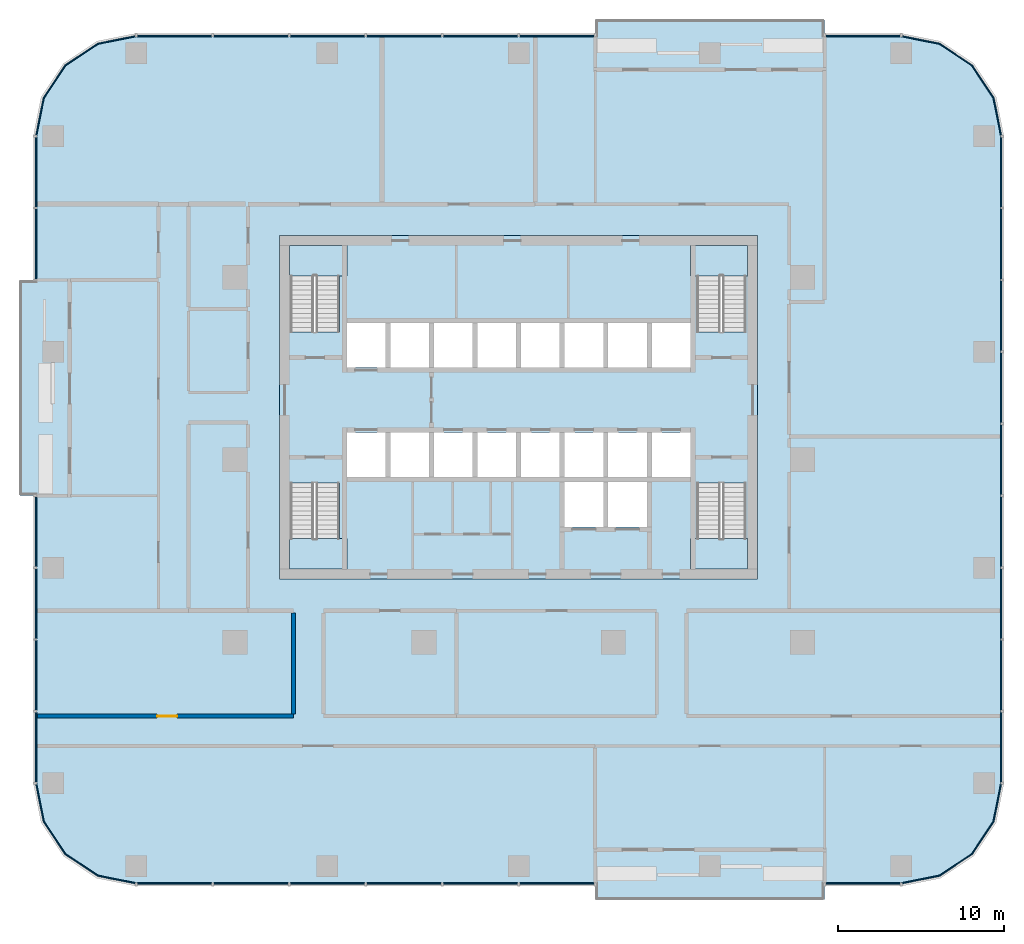
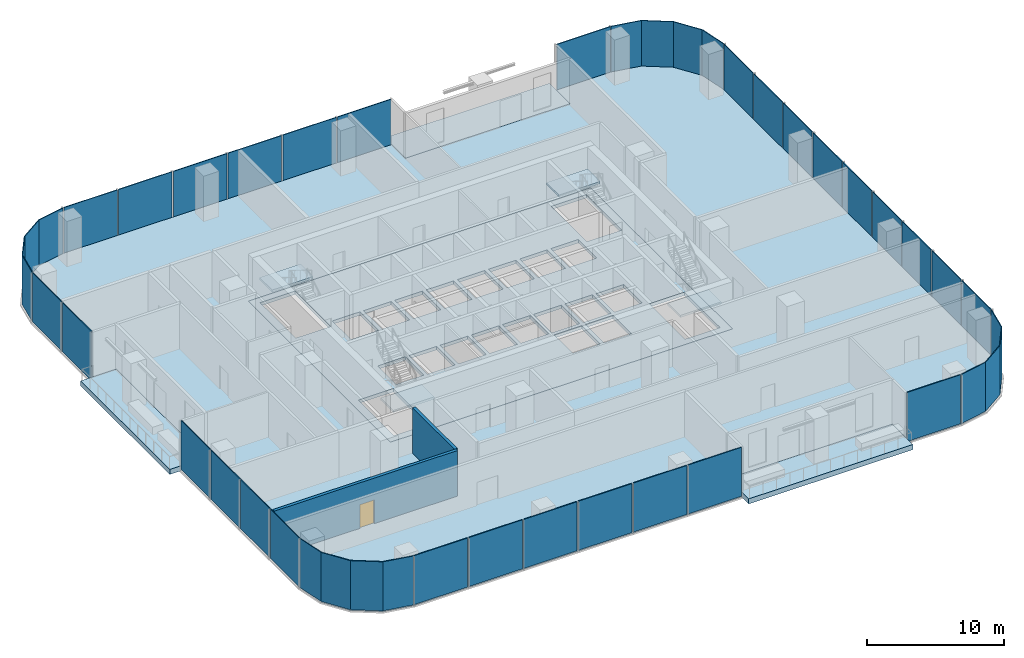
# One storey, part 6 of 15: 33 plates, 9 slabs, 2 walls, 1 door, 1 opening, 15 elements without a shape of their own.
"""IFC4 building model written with IfcOpenShell, lengths in metres."""

from ifc_helpers import new_model, si_unit, direction, frame, frame_2d, origin, origin_2d, place, context, subcontext, project, spatial, polyline, rectangle, outline, extrude, material, layer, layer_set, type_object, element, fill, aggregate, save


model = new_model("IFC4")

# Units and contexts
model_context = context("Model", 3, precision=1e-05, world=origin(), true_north=direction((0.0, 1.0)))
body_context = subcontext(model_context, "Body", "Model", "MODEL_VIEW")
ifc_project = project(units=[si_unit("LENGTHUNIT", "METRE"), si_unit("AREAUNIT", "SQUARE_METRE"), si_unit("VOLUMEUNIT", "CUBIC_METRE"), si_unit("PLANEANGLEUNIT", "RADIAN"), si_unit("MASSUNIT", "GRAM", prefix="KILO")], contexts=[model_context])

# Site, building, storey
site_placement = place(None, origin())
site = spatial("IfcSite", under=ifc_project, at=site_placement, CompositionType="ELEMENT")
building_placement = place(site_placement, origin())
building = spatial("IfcBuilding", under=site, at=building_placement, Name="Mopane Tessera Tower", CompositionType="ELEMENT")
storey_placement = place(building_placement, frame((0.0, 0.0, 103.60009765625)))
storey = spatial("IfcBuildingStorey", under=building, at=storey_placement, Name="L20", CompositionType="ELEMENT", Elevation=103.60009765625)

# Slab
ifc_material_1 = material(Name="Concrete C40/50", Category="concrete")
ifc_layer_1 = layer(ifc_material_1, 0.300048828125)
ifc_layer_set_1 = layer_set([ifc_layer_1], Name="Concrete C40/50")
slab_type_1 = type_object("IfcSlabType", Name="Core floor slab 300 mm", PredefinedType="FLOOR", material=ifc_layer_set_1)
slab_1_placement = place(storey_placement, frame((0.0, 0.0, -0.300048828125)))
element("IfcSlab", 1, at=slab_1_placement, inside=storey, type_object=slab_type_1, Name="L20 core floor slab", PredefinedType="FLOOR", context=body_context, shape_type="SweptSolid", body=[
    extrude(outline(polyline([(-14.39990234375, -7.199951171875), (14.39990234375, -7.199951171875), (14.39990234375, 13.5), (-14.39990234375, 13.5), (-14.39990234375, -7.199951171875)]), holes=[polyline([(-10.35009765625, -1.050048828125), (-8.02490234375, -1.050048828125), (-8.02490234375, 1.64990234375), (-10.35009765625, 1.64990234375), (-10.35009765625, -1.050048828125)]), polyline([(-7.72509765625, -1.050048828125), (-5.39990234375, -1.050048828125), (-5.39990234375, 1.64990234375), (-7.72509765625, 1.64990234375), (-7.72509765625, -1.050048828125)]), polyline([(-5.10009765625, -1.050048828125), (-2.77490234375, -1.050048828125), (-2.77490234375, 1.64990234375), (-5.10009765625, 1.64990234375), (-5.10009765625, -1.050048828125)]), polyline([(-2.47509765625, -1.050048828125), (-0.14990234375, -1.050048828125), (-0.14990234375, 1.64990234375), (-2.47509765625, 1.64990234375), (-2.47509765625, -1.050048828125)]), polyline([(0.14990234375, -1.050048828125), (2.47509765625, -1.050048828125), (2.47509765625, 1.64990234375), (0.14990234375, 1.64990234375), (0.14990234375, -1.050048828125)]), polyline([(2.77490234375, -1.050048828125), (5.10009765625, -1.050048828125), (5.10009765625, 1.64990234375), (2.77490234375, 1.64990234375), (2.77490234375, -1.050048828125)]), polyline([(5.39990234375, -1.050048828125), (7.72509765625, -1.050048828125), (7.72509765625, 1.64990234375), (5.39990234375, 1.64990234375), (5.39990234375, -1.050048828125)]), polyline([(8.02490234375, -1.050048828125), (10.35009765625, -1.050048828125), (10.35009765625, 1.64990234375), (8.02490234375, 1.64990234375), (8.02490234375, -1.050048828125)]), polyline([(-10.35009765625, 5.550048828125), (-8.02490234375, 5.550048828125), (-8.02490234375, 8.25), (-10.35009765625, 8.25), (-10.35009765625, 5.550048828125)]), polyline([(-7.72509765625, 5.550048828125), (-5.39990234375, 5.550048828125), (-5.39990234375, 8.25), (-7.72509765625, 8.25), (-7.72509765625, 5.550048828125)]), polyline([(-5.10009765625, 5.550048828125), (-2.77490234375, 5.550048828125), (-2.77490234375, 8.25), (-5.10009765625, 8.25), (-5.10009765625, 5.550048828125)]), polyline([(-2.47509765625, 5.550048828125), (-0.14990234375, 5.550048828125), (-0.14990234375, 8.25), (-2.47509765625, 8.25), (-2.47509765625, 5.550048828125)]), polyline([(0.14990234375, 5.550048828125), (2.47509765625, 5.550048828125), (2.47509765625, 8.25), (0.14990234375, 8.25), (0.14990234375, 5.550048828125)]), polyline([(2.77490234375, 5.550048828125), (5.10009765625, 5.550048828125), (5.10009765625, 8.25), (2.77490234375, 8.25), (2.77490234375, 5.550048828125)]), polyline([(5.39990234375, 5.550048828125), (7.72509765625, 5.550048828125), (7.72509765625, 8.25), (5.39990234375, 8.25), (5.39990234375, 5.550048828125)]), polyline([(8.02490234375, 5.550048828125), (10.35009765625, 5.550048828125), (10.35009765625, 8.25), (8.02490234375, 8.25), (8.02490234375, 5.550048828125)]), polyline([(2.77490234375, -4.050048828125), (5.10009765625, -4.050048828125), (5.10009765625, -1.35009765625), (2.77490234375, -1.35009765625), (2.77490234375, -4.050048828125)]), polyline([(5.39990234375, -4.050048828125), (7.72509765625, -4.050048828125), (7.72509765625, -1.35009765625), (5.39990234375, -1.35009765625), (5.39990234375, -4.050048828125)]), polyline([(-13.75, -1.405029296875), (-13.75, -6.60009765625), (-10.800048828125, -6.60009765625), (-10.800048828125, -1.405029296875), (-13.75, -1.405029296875)]), polyline([(-10.800048828125, 7.705078125), (-10.800048828125, 12.89990234375), (-13.75, 12.89990234375), (-13.75, 7.705078125), (-10.800048828125, 7.705078125)]), polyline([(10.75, -1.405029296875), (10.75, -6.60009765625), (13.699951171875, -6.60009765625), (13.699951171875, -1.405029296875), (10.75, -1.405029296875)]), polyline([(13.699951171875, 7.705078125), (13.699951171875, 12.89990234375), (10.75, 12.89990234375), (10.75, 7.705078125), (13.699951171875, 7.705078125)])]), origin(), (0.0, 0.0, 1.0), 0.300048828125),
])

# Stair, slab
ifc_material_2 = material(Name="Concrete C50/60", Category="concrete")
stair_type = type_object("IfcStairType", Name="Escape stair 1400 mm, riser 173 mm", PredefinedType="HALF_TURN_STAIR", material=ifc_material_2)
stair_1_placement = place(storey_placement, origin())
stair_1 = element("IfcStair", 2, at=stair_1_placement, inside=storey, type_object=stair_type, Name="L20 Escape stair south-west", PredefinedType="HALF_TURN_STAIR")
ifc_material_3 = material(Name="Concrete C50/60", Category="concrete")
ifc_layer_2 = layer(ifc_material_3, 0.199951171875)
ifc_layer_set_2 = layer_set([ifc_layer_2], Name="Concrete C50/60")
slab_type_2 = type_object("IfcSlabType", Name="Escape stair landing 200 mm", PredefinedType="LANDING", material=ifc_layer_set_2)
slab_2_placement = place(storey_placement, frame((0.0, 0.0, 2.0498046875)))
slab_2 = element("IfcSlab", 3, at=slab_2_placement, type_object=slab_type_2, Name="ST1 landing 1", PredefinedType="LANDING", context=body_context, shape_type="SweptSolid", body=[
    extrude(outline(polyline([(-13.800048828125, -4.760009765625), (-13.800048828125, -6.60009765625), (-10.35009765625, -6.60009765625), (-10.35009765625, -4.760009765625), (-13.800048828125, -4.760009765625)])), origin(), (0.0, 0.0, 1.0), 0.2001953125),
])
aggregate(stair_1, [slab_2])

stair_2_placement = place(storey_placement, origin())
stair_2 = element("IfcStair", 4, at=stair_2_placement, inside=storey, type_object=stair_type, Name="L20 Escape stair north-west", PredefinedType="HALF_TURN_STAIR")
slab_3_placement = place(storey_placement, frame((0.0, 0.0, 2.0498046875)))
slab_3 = element("IfcSlab", 5, at=slab_3_placement, type_object=slab_type_2, Name="ST2 landing 1", PredefinedType="LANDING", context=body_context, shape_type="SweptSolid", body=[
    extrude(outline(polyline([(-10.35009765625, 11.06005859375), (-10.35009765625, 12.89990234375), (-13.800048828125, 12.89990234375), (-13.800048828125, 11.06005859375), (-10.35009765625, 11.06005859375)])), origin(), (0.0, 0.0, 1.0), 0.2001953125),
])
aggregate(stair_2, [slab_3])

stair_3_placement = place(storey_placement, origin())
stair_3 = element("IfcStair", 6, at=stair_3_placement, inside=storey, type_object=stair_type, Name="L20 Escape stair south-east", PredefinedType="HALF_TURN_STAIR")
slab_4_placement = place(storey_placement, frame((0.0, 0.0, 2.0498046875)))
slab_4 = element("IfcSlab", 7, at=slab_4_placement, type_object=slab_type_2, Name="ST3 landing 1", PredefinedType="LANDING", context=body_context, shape_type="SweptSolid", body=[
    extrude(outline(polyline([(10.35009765625, -4.760009765625), (10.35009765625, -6.60009765625), (13.800048828125, -6.60009765625), (13.800048828125, -4.760009765625), (10.35009765625, -4.760009765625)])), origin(), (0.0, 0.0, 1.0), 0.2001953125),
])
aggregate(stair_3, [slab_4])

stair_4_placement = place(storey_placement, origin())
stair_4 = element("IfcStair", 8, at=stair_4_placement, inside=storey, type_object=stair_type, Name="L20 Escape stair north-east", PredefinedType="HALF_TURN_STAIR")
slab_5_placement = place(storey_placement, frame((0.0, 0.0, 2.0498046875)))
slab_5 = element("IfcSlab", 9, at=slab_5_placement, type_object=slab_type_2, Name="ST4 landing 1", PredefinedType="LANDING", context=body_context, shape_type="SweptSolid", body=[
    extrude(outline(polyline([(13.800048828125, 11.06005859375), (13.800048828125, 12.89990234375), (10.35009765625, 12.89990234375), (10.35009765625, 11.06005859375), (13.800048828125, 11.06005859375)])), origin(), (0.0, 0.0, 1.0), 0.2001953125),
])
aggregate(stair_4, [slab_5])

# Curtain wall, plates
ifc_material_4 = material(Name="Aluminium frame", Category="aluminium")
curtain_wall_type = type_object("IfcCurtainWallType", Name="Lower tower unitised wall", PredefinedType="NOTDEFINED", material=ifc_material_4)
curtain_wall_1_placement = place(storey_placement, origin())
curtain_wall_1 = element("IfcCurtainWall", 10, at=curtain_wall_1_placement, inside=storey, type_object=curtain_wall_type, Name="e:cw:L20:S:0", PredefinedType="NOTDEFINED")
ifc_material_5 = material(Name="Clear laminated glass", Category="glass")
ifc_layer_3 = layer(ifc_material_5, 0.070068359375)
ifc_layer_set_3 = layer_set([ifc_layer_3], Name="Clear laminated glass")
plate_type = type_object("IfcPlateType", Name="Laminated glazed unit 70", PredefinedType="CURTAIN_PANEL", material=ifc_layer_set_3)
plate_1_placement = place(storey_placement, frame((-20.7451171875, -25.534912109375, -0.31005859375), z_axis=(0.0, 0.0, 1.0), x_axis=(1.0, 0.0, 0.0)))
plate_1 = element("IfcPlate", 11, at=plate_1_placement, type_object=plate_type, Name="e:cw:L20:S:0:pn0", PredefinedType="CURTAIN_PANEL", context=body_context, shape_type="SweptSolid", body=[
    extrude(rectangle(XDim=4.5, YDim=0.070068359375, at=origin_2d()), origin(), (0.0, 0.0, 1.0), 4.360107421875),
])
plate_2_placement = place(storey_placement, frame((-16.135009765625, -25.534912109375, -0.31005859375), z_axis=(0.0, 0.0, 1.0), x_axis=(1.0, 0.0, 0.0)))
plate_2 = element("IfcPlate", 12, at=plate_2_placement, type_object=plate_type, Name="e:cw:L20:S:0:pn1", PredefinedType="CURTAIN_PANEL", context=body_context, shape_type="SweptSolid", body=[
    extrude(rectangle(XDim=4.5, YDim=0.070068359375, at=origin_2d()), origin(), (0.0, 0.0, 1.0), 4.360107421875),
])
plate_3_placement = place(storey_placement, frame((-11.52490234375, -25.534912109375, -0.31005859375), z_axis=(0.0, 0.0, 1.0), x_axis=(1.0, 0.0, 0.0)))
plate_3 = element("IfcPlate", 13, at=plate_3_placement, type_object=plate_type, Name="e:cw:L20:S:0:pn2", PredefinedType="CURTAIN_PANEL", context=body_context, shape_type="SweptSolid", body=[
    extrude(rectangle(XDim=4.5, YDim=0.070068359375, at=origin_2d()), origin(), (0.0, 0.0, 1.0), 4.360107421875),
])
plate_4_placement = place(storey_placement, frame((-6.9150390625, -25.534912109375, -0.31005859375), z_axis=(0.0, 0.0, 1.0), x_axis=(1.0, 0.0, 0.0)))
plate_4 = element("IfcPlate", 14, at=plate_4_placement, type_object=plate_type, Name="e:cw:L20:S:0:pn3", PredefinedType="CURTAIN_PANEL", context=body_context, shape_type="SweptSolid", body=[
    extrude(rectangle(XDim=4.5, YDim=0.070068359375, at=origin_2d()), origin(), (0.0, 0.0, 1.0), 4.360107421875),
])
plate_5_placement = place(storey_placement, frame((-2.304931640625, -25.534912109375, -0.31005859375), z_axis=(0.0, 0.0, 1.0), x_axis=(1.0, 0.0, 0.0)))
plate_5 = element("IfcPlate", 15, at=plate_5_placement, type_object=plate_type, Name="e:cw:L20:S:0:pn4", PredefinedType="CURTAIN_PANEL", context=body_context, shape_type="SweptSolid", body=[
    extrude(rectangle(XDim=4.5, YDim=0.070068359375, at=origin_2d()), origin(), (0.0, 0.0, 1.0), 4.360107421875),
])
plate_6_placement = place(storey_placement, frame((2.304931640625, -25.534912109375, -0.31005859375), z_axis=(0.0, 0.0, 1.0), x_axis=(1.0, 0.0, 0.0)))
plate_6 = element("IfcPlate", 16, at=plate_6_placement, type_object=plate_type, Name="e:cw:L20:S:0:pn5", PredefinedType="CURTAIN_PANEL", context=body_context, shape_type="SweptSolid", body=[
    extrude(rectangle(XDim=4.5, YDim=0.070068359375, at=origin_2d()), origin(), (0.0, 0.0, 1.0), 4.360107421875),
])
aggregate(curtain_wall_1, [plate_1, plate_2, plate_3, plate_4, plate_5, plate_6])

# Curtain wall, plate
curtain_wall_2_placement = place(storey_placement, origin())
curtain_wall_2 = element("IfcCurtainWall", 17, at=curtain_wall_2_placement, inside=storey, type_object=curtain_wall_type, Name="e:cw:L20:S:9", PredefinedType="NOTDEFINED")
plate_7_placement = place(storey_placement, frame((20.7451171875, -25.534912109375, -0.31005859375), z_axis=(0.0, 0.0, 1.0), x_axis=(1.0, 0.0, 0.0)))
plate_7 = element("IfcPlate", 18, at=plate_7_placement, type_object=plate_type, Name="e:cw:L20:S:9:pn9", PredefinedType="CURTAIN_PANEL", context=body_context, shape_type="SweptSolid", body=[
    extrude(rectangle(XDim=4.5, YDim=0.070068359375, at=origin_2d()), origin(), (0.0, 0.0, 1.0), 4.360107421875),
])
aggregate(curtain_wall_2, [plate_7])

curtain_wall_3_placement = place(storey_placement, origin())
curtain_wall_3 = element("IfcCurtainWall", 19, at=curtain_wall_3_placement, inside=storey, type_object=curtain_wall_type, Name="e:cw:L20:CS", PredefinedType="NOTDEFINED")
plate_8_placement = place(storey_placement, frame((0.0, 0.0, -0.31005859375)))
plate_8 = element("IfcPlate", 20, at=plate_8_placement, type_object=plate_type, Name="e:cw:L20:CS:pn", PredefinedType="CURTAIN_PANEL", context=body_context, shape_type="SweptSolid", body=[
    extrude(outline(polyline([(23.050048828125, -25.5), (25.34619140625, -25.043212890625), (27.292724609375, -23.74267578125), (28.59326171875, -21.796142578125), (29.050048828125, -19.5), (29.1201171875, -19.5), (28.657958984375, -21.822998046875), (27.342041015625, -23.792236328125), (25.372802734375, -25.10791015625), (23.050048828125, -25.570068359375), (23.050048828125, -25.5)])), origin(), (0.0, 0.0, 1.0), 4.35986328125),
])
aggregate(curtain_wall_3, [plate_8])

# Curtain wall, plates
curtain_wall_4_placement = place(storey_placement, origin())
curtain_wall_4 = element("IfcCurtainWall", 21, at=curtain_wall_4_placement, inside=storey, type_object=curtain_wall_type, Name="e:cw:L20:E:0", PredefinedType="NOTDEFINED")
plate_9_placement = place(storey_placement, frame((29.0849609375, -17.333251953125, -0.31005859375), z_axis=(0.0, 0.0, 1.0), x_axis=(0.0, 1.0, 0.0)))
plate_9 = element("IfcPlate", 22, at=plate_9_placement, type_object=plate_type, Name="e:cw:L20:E:0:pn0", PredefinedType="CURTAIN_PANEL", context=body_context, shape_type="SweptSolid", body=[
    extrude(rectangle(XDim=4.223388671875, YDim=0.070068359375, at=origin_2d()), origin(), (0.0, 0.0, 1.0), 4.360107421875),
])
plate_10_placement = place(storey_placement, frame((29.0849609375, -13.0, -0.31005859375), z_axis=(0.0, 0.0, 1.0), x_axis=(0.0, 1.0, 0.0)))
plate_10 = element("IfcPlate", 23, at=plate_10_placement, type_object=plate_type, Name="e:cw:L20:E:0:pn1", PredefinedType="CURTAIN_PANEL", context=body_context, shape_type="SweptSolid", body=[
    extrude(rectangle(XDim=4.223388671875, YDim=0.070068359375, at=origin_2d()), origin(), (0.0, 0.0, 1.0), 4.360107421875),
])
plate_11_placement = place(storey_placement, frame((29.0849609375, -8.666748046875, -0.31005859375), z_axis=(0.0, 0.0, 1.0), x_axis=(0.0, 1.0, 0.0)))
plate_11 = element("IfcPlate", 24, at=plate_11_placement, type_object=plate_type, Name="e:cw:L20:E:0:pn2", PredefinedType="CURTAIN_PANEL", context=body_context, shape_type="SweptSolid", body=[
    extrude(rectangle(XDim=4.223388671875, YDim=0.070068359375, at=origin_2d()), origin(), (0.0, 0.0, 1.0), 4.360107421875),
])
plate_12_placement = place(storey_placement, frame((29.0849609375, -4.333251953125, -0.31005859375), z_axis=(0.0, 0.0, 1.0), x_axis=(0.0, 1.0, 0.0)))
plate_12 = element("IfcPlate", 25, at=plate_12_placement, type_object=plate_type, Name="e:cw:L20:E:0:pn3", PredefinedType="CURTAIN_PANEL", context=body_context, shape_type="SweptSolid", body=[
    extrude(rectangle(XDim=4.223388671875, YDim=0.070068359375, at=origin_2d()), origin(), (0.0, 0.0, 1.0), 4.360107421875),
])
plate_13_placement = place(storey_placement, frame((29.0849609375, 0.0, -0.31005859375), z_axis=(0.0, 0.0, 1.0), x_axis=(0.0, 1.0, 0.0)))
plate_13 = element("IfcPlate", 26, at=plate_13_placement, type_object=plate_type, Name="e:cw:L20:E:0:pn4", PredefinedType="CURTAIN_PANEL", context=body_context, shape_type="SweptSolid", body=[
    extrude(rectangle(XDim=4.223388671875, YDim=0.070068359375, at=origin_2d()), origin(), (0.0, 0.0, 1.0), 4.360107421875),
])
plate_14_placement = place(storey_placement, frame((29.0849609375, 4.333251953125, -0.31005859375), z_axis=(0.0, 0.0, 1.0), x_axis=(0.0, 1.0, 0.0)))
plate_14 = element("IfcPlate", 27, at=plate_14_placement, type_object=plate_type, Name="e:cw:L20:E:0:pn5", PredefinedType="CURTAIN_PANEL", context=body_context, shape_type="SweptSolid", body=[
    extrude(rectangle(XDim=4.223388671875, YDim=0.070068359375, at=origin_2d()), origin(), (0.0, 0.0, 1.0), 4.360107421875),
])
plate_15_placement = place(storey_placement, frame((29.0849609375, 8.666748046875, -0.31005859375), z_axis=(0.0, 0.0, 1.0), x_axis=(0.0, 1.0, 0.0)))
plate_15 = element("IfcPlate", 28, at=plate_15_placement, type_object=plate_type, Name="e:cw:L20:E:0:pn6", PredefinedType="CURTAIN_PANEL", context=body_context, shape_type="SweptSolid", body=[
    extrude(rectangle(XDim=4.223388671875, YDim=0.070068359375, at=origin_2d()), origin(), (0.0, 0.0, 1.0), 4.360107421875),
])
plate_16_placement = place(storey_placement, frame((29.0849609375, 13.0, -0.31005859375), z_axis=(0.0, 0.0, 1.0), x_axis=(0.0, 1.0, 0.0)))
plate_16 = element("IfcPlate", 29, at=plate_16_placement, type_object=plate_type, Name="e:cw:L20:E:0:pn7", PredefinedType="CURTAIN_PANEL", context=body_context, shape_type="SweptSolid", body=[
    extrude(rectangle(XDim=4.223388671875, YDim=0.070068359375, at=origin_2d()), origin(), (0.0, 0.0, 1.0), 4.360107421875),
])
plate_17_placement = place(storey_placement, frame((29.0849609375, 17.333251953125, -0.31005859375), z_axis=(0.0, 0.0, 1.0), x_axis=(0.0, 1.0, 0.0)))
plate_17 = element("IfcPlate", 30, at=plate_17_placement, type_object=plate_type, Name="e:cw:L20:E:0:pn8", PredefinedType="CURTAIN_PANEL", context=body_context, shape_type="SweptSolid", body=[
    extrude(rectangle(XDim=4.223388671875, YDim=0.070068359375, at=origin_2d()), origin(), (0.0, 0.0, 1.0), 4.360107421875),
])
aggregate(curtain_wall_4, [plate_9, plate_10, plate_11, plate_12, plate_13, plate_14, plate_15, plate_16, plate_17])

# Curtain wall, plate
curtain_wall_5_placement = place(storey_placement, origin())
curtain_wall_5 = element("IfcCurtainWall", 31, at=curtain_wall_5_placement, inside=storey, type_object=curtain_wall_type, Name="e:cw:L20:CE", PredefinedType="NOTDEFINED")
plate_18_placement = place(storey_placement, frame((0.0, 0.0, -0.31005859375)))
plate_18 = element("IfcPlate", 32, at=plate_18_placement, type_object=plate_type, Name="e:cw:L20:CE:pn", PredefinedType="CURTAIN_PANEL", context=body_context, shape_type="SweptSolid", body=[
    extrude(outline(polyline([(29.050048828125, 19.5), (28.59326171875, 21.796142578125), (27.292724609375, 23.74267578125), (25.34619140625, 25.043212890625), (23.050048828125, 25.5), (23.050048828125, 25.570068359375), (25.372802734375, 25.10791015625), (27.342041015625, 23.792236328125), (28.657958984375, 21.822998046875), (29.1201171875, 19.5), (29.050048828125, 19.5)])), origin(), (0.0, 0.0, 1.0), 4.35986328125),
])
aggregate(curtain_wall_5, [plate_18])

curtain_wall_6_placement = place(storey_placement, origin())
curtain_wall_6 = element("IfcCurtainWall", 33, at=curtain_wall_6_placement, inside=storey, type_object=curtain_wall_type, Name="e:cw:L20:N:0", PredefinedType="NOTDEFINED")
plate_19_placement = place(storey_placement, frame((20.7451171875, 25.534912109375, -0.31005859375), z_axis=(0.0, 0.0, 1.0), x_axis=(-1.0, 0.0, 0.0)))
plate_19 = element("IfcPlate", 34, at=plate_19_placement, type_object=plate_type, Name="e:cw:L20:N:0:pn0", PredefinedType="CURTAIN_PANEL", context=body_context, shape_type="SweptSolid", body=[
    extrude(rectangle(XDim=4.5, YDim=0.070068359375, at=origin_2d()), origin(), (0.0, 0.0, 1.0), 4.360107421875),
])
aggregate(curtain_wall_6, [plate_19])

# Curtain wall, plates
curtain_wall_7_placement = place(storey_placement, origin())
curtain_wall_7 = element("IfcCurtainWall", 35, at=curtain_wall_7_placement, inside=storey, type_object=curtain_wall_type, Name="e:cw:L20:N:4", PredefinedType="NOTDEFINED")
plate_20_placement = place(storey_placement, frame((2.304931640625, 25.534912109375, -0.31005859375), z_axis=(0.0, 0.0, 1.0), x_axis=(-1.0, 0.0, 0.0)))
plate_20 = element("IfcPlate", 36, at=plate_20_placement, type_object=plate_type, Name="e:cw:L20:N:4:pn4", PredefinedType="CURTAIN_PANEL", context=body_context, shape_type="SweptSolid", body=[
    extrude(rectangle(XDim=4.5, YDim=0.070068359375, at=origin_2d()), origin(), (0.0, 0.0, 1.0), 4.360107421875),
])
plate_21_placement = place(storey_placement, frame((-2.304931640625, 25.534912109375, -0.31005859375), z_axis=(0.0, 0.0, 1.0), x_axis=(-1.0, 0.0, 0.0)))
plate_21 = element("IfcPlate", 37, at=plate_21_placement, type_object=plate_type, Name="e:cw:L20:N:4:pn5", PredefinedType="CURTAIN_PANEL", context=body_context, shape_type="SweptSolid", body=[
    extrude(rectangle(XDim=4.5, YDim=0.070068359375, at=origin_2d()), origin(), (0.0, 0.0, 1.0), 4.360107421875),
])
plate_22_placement = place(storey_placement, frame((-6.9150390625, 25.534912109375, -0.31005859375), z_axis=(0.0, 0.0, 1.0), x_axis=(-1.0, 0.0, 0.0)))
plate_22 = element("IfcPlate", 38, at=plate_22_placement, type_object=plate_type, Name="e:cw:L20:N:4:pn6", PredefinedType="CURTAIN_PANEL", context=body_context, shape_type="SweptSolid", body=[
    extrude(rectangle(XDim=4.5, YDim=0.070068359375, at=origin_2d()), origin(), (0.0, 0.0, 1.0), 4.360107421875),
])
plate_23_placement = place(storey_placement, frame((-11.52490234375, 25.534912109375, -0.31005859375), z_axis=(0.0, 0.0, 1.0), x_axis=(-1.0, 0.0, 0.0)))
plate_23 = element("IfcPlate", 39, at=plate_23_placement, type_object=plate_type, Name="e:cw:L20:N:4:pn7", PredefinedType="CURTAIN_PANEL", context=body_context, shape_type="SweptSolid", body=[
    extrude(rectangle(XDim=4.5, YDim=0.070068359375, at=origin_2d()), origin(), (0.0, 0.0, 1.0), 4.360107421875),
])
plate_24_placement = place(storey_placement, frame((-16.135009765625, 25.534912109375, -0.31005859375), z_axis=(0.0, 0.0, 1.0), x_axis=(-1.0, 0.0, 0.0)))
plate_24 = element("IfcPlate", 40, at=plate_24_placement, type_object=plate_type, Name="e:cw:L20:N:4:pn8", PredefinedType="CURTAIN_PANEL", context=body_context, shape_type="SweptSolid", body=[
    extrude(rectangle(XDim=4.5, YDim=0.070068359375, at=origin_2d()), origin(), (0.0, 0.0, 1.0), 4.360107421875),
])
plate_25_placement = place(storey_placement, frame((-20.7451171875, 25.534912109375, -0.31005859375), z_axis=(0.0, 0.0, 1.0), x_axis=(-1.0, 0.0, 0.0)))
plate_25 = element("IfcPlate", 41, at=plate_25_placement, type_object=plate_type, Name="e:cw:L20:N:4:pn9", PredefinedType="CURTAIN_PANEL", context=body_context, shape_type="SweptSolid", body=[
    extrude(rectangle(XDim=4.5, YDim=0.070068359375, at=origin_2d()), origin(), (0.0, 0.0, 1.0), 4.360107421875),
])
aggregate(curtain_wall_7, [plate_20, plate_21, plate_22, plate_23, plate_24, plate_25])

# Curtain wall, plate
curtain_wall_8_placement = place(storey_placement, origin())
curtain_wall_8 = element("IfcCurtainWall", 42, at=curtain_wall_8_placement, inside=storey, type_object=curtain_wall_type, Name="e:cw:L20:CN", PredefinedType="NOTDEFINED")
plate_26_placement = place(storey_placement, frame((0.0, 0.0, -0.31005859375)))
plate_26 = element("IfcPlate", 43, at=plate_26_placement, type_object=plate_type, Name="e:cw:L20:CN:pn", PredefinedType="CURTAIN_PANEL", context=body_context, shape_type="SweptSolid", body=[
    extrude(outline(polyline([(-23.050048828125, 25.5), (-25.34619140625, 25.043212890625), (-27.292724609375, 23.74267578125), (-28.59326171875, 21.796142578125), (-29.050048828125, 19.5), (-29.1201171875, 19.5), (-28.657958984375, 21.822998046875), (-27.342041015625, 23.792236328125), (-25.372802734375, 25.10791015625), (-23.050048828125, 25.570068359375), (-23.050048828125, 25.5)])), origin(), (0.0, 0.0, 1.0), 4.35986328125),
])
aggregate(curtain_wall_8, [plate_26])

# Curtain wall, plates
curtain_wall_9_placement = place(storey_placement, origin())
curtain_wall_9 = element("IfcCurtainWall", 44, at=curtain_wall_9_placement, inside=storey, type_object=curtain_wall_type, Name="e:cw:L20:W:0", PredefinedType="NOTDEFINED")
plate_27_placement = place(storey_placement, frame((-29.0849609375, 17.333251953125, -0.31005859375), z_axis=(0.0, 0.0, 1.0), x_axis=(0.0, -1.0, 0.0)))
plate_27 = element("IfcPlate", 45, at=plate_27_placement, type_object=plate_type, Name="e:cw:L20:W:0:pn0", PredefinedType="CURTAIN_PANEL", context=body_context, shape_type="SweptSolid", body=[
    extrude(rectangle(XDim=4.223388671875, YDim=0.070068359375, at=origin_2d()), origin(), (0.0, 0.0, 1.0), 4.360107421875),
])
plate_28_placement = place(storey_placement, frame((-29.0849609375, 13.0, -0.31005859375), z_axis=(0.0, 0.0, 1.0), x_axis=(0.0, -1.0, 0.0)))
plate_28 = element("IfcPlate", 46, at=plate_28_placement, type_object=plate_type, Name="e:cw:L20:W:0:pn1", PredefinedType="CURTAIN_PANEL", context=body_context, shape_type="SweptSolid", body=[
    extrude(rectangle(XDim=4.223388671875, YDim=0.070068359375, at=origin_2d()), origin(), (0.0, 0.0, 1.0), 4.360107421875),
])
aggregate(curtain_wall_9, [plate_27, plate_28])

curtain_wall_10_placement = place(storey_placement, origin())
curtain_wall_10 = element("IfcCurtainWall", 47, at=curtain_wall_10_placement, inside=storey, type_object=curtain_wall_type, Name="e:cw:L20:W:5", PredefinedType="NOTDEFINED")
plate_29_placement = place(storey_placement, frame((-29.0849609375, -4.333251953125, -0.31005859375), z_axis=(0.0, 0.0, 1.0), x_axis=(0.0, -1.0, 0.0)))
plate_29 = element("IfcPlate", 48, at=plate_29_placement, type_object=plate_type, Name="e:cw:L20:W:5:pn5", PredefinedType="CURTAIN_PANEL", context=body_context, shape_type="SweptSolid", body=[
    extrude(rectangle(XDim=4.223388671875, YDim=0.070068359375, at=origin_2d()), origin(), (0.0, 0.0, 1.0), 4.360107421875),
])
plate_30_placement = place(storey_placement, frame((-29.0849609375, -8.666748046875, -0.31005859375), z_axis=(0.0, 0.0, 1.0), x_axis=(0.0, -1.0, 0.0)))
plate_30 = element("IfcPlate", 49, at=plate_30_placement, type_object=plate_type, Name="e:cw:L20:W:5:pn6", PredefinedType="CURTAIN_PANEL", context=body_context, shape_type="SweptSolid", body=[
    extrude(rectangle(XDim=4.223388671875, YDim=0.070068359375, at=origin_2d()), origin(), (0.0, 0.0, 1.0), 4.360107421875),
])
plate_31_placement = place(storey_placement, frame((-29.0849609375, -13.0, -0.31005859375), z_axis=(0.0, 0.0, 1.0), x_axis=(0.0, -1.0, 0.0)))
plate_31 = element("IfcPlate", 50, at=plate_31_placement, type_object=plate_type, Name="e:cw:L20:W:5:pn7", PredefinedType="CURTAIN_PANEL", context=body_context, shape_type="SweptSolid", body=[
    extrude(rectangle(XDim=4.223388671875, YDim=0.070068359375, at=origin_2d()), origin(), (0.0, 0.0, 1.0), 4.360107421875),
])
plate_32_placement = place(storey_placement, frame((-29.0849609375, -17.333251953125, -0.31005859375), z_axis=(0.0, 0.0, 1.0), x_axis=(0.0, -1.0, 0.0)))
plate_32 = element("IfcPlate", 51, at=plate_32_placement, type_object=plate_type, Name="e:cw:L20:W:5:pn8", PredefinedType="CURTAIN_PANEL", context=body_context, shape_type="SweptSolid", body=[
    extrude(rectangle(XDim=4.223388671875, YDim=0.070068359375, at=origin_2d()), origin(), (0.0, 0.0, 1.0), 4.360107421875),
])
aggregate(curtain_wall_10, [plate_29, plate_30, plate_31, plate_32])

# Curtain wall, plate
curtain_wall_11_placement = place(storey_placement, origin())
curtain_wall_11 = element("IfcCurtainWall", 52, at=curtain_wall_11_placement, inside=storey, type_object=curtain_wall_type, Name="e:cw:L20:CW", PredefinedType="NOTDEFINED")
plate_33_placement = place(storey_placement, frame((0.0, 0.0, -0.31005859375)))
plate_33 = element("IfcPlate", 53, at=plate_33_placement, type_object=plate_type, Name="e:cw:L20:CW:pn", PredefinedType="CURTAIN_PANEL", context=body_context, shape_type="SweptSolid", body=[
    extrude(outline(polyline([(-29.050048828125, -19.5), (-28.59326171875, -21.796142578125), (-27.292724609375, -23.74267578125), (-25.34619140625, -25.043212890625), (-23.050048828125, -25.5), (-23.050048828125, -25.570068359375), (-25.372802734375, -25.10791015625), (-27.342041015625, -23.792236328125), (-28.657958984375, -21.822998046875), (-29.1201171875, -19.5), (-29.050048828125, -19.5)])), origin(), (0.0, 0.0, 1.0), 4.35986328125),
])
aggregate(curtain_wall_11, [plate_33])

# Slabs
ifc_material_6 = material(Name="Concrete C40/50", Category="concrete")
ifc_layer_4 = layer(ifc_material_6, 0.449951171875)
ifc_layer_set_4 = layer_set([ifc_layer_4], Name="Concrete C40/50")
slab_type_3 = type_object("IfcSlabType", Name="Planted terrace slab 450 mm", PredefinedType="FLOOR", material=ifc_layer_set_4)
slab_6_placement = place(storey_placement, frame((0.0, 0.0, -0.4501953125)))
element("IfcSlab", 54, at=slab_6_placement, inside=storey, type_object=slab_type_3, Name="Terrace slab N1 L20", PredefinedType="FLOOR", context=body_context, shape_type="SweptSolid", body=[
    extrude(outline(polyline([(4.610107421875, 26.5), (4.610107421875, 23.5), (18.43994140625, 23.5), (18.43994140625, 26.5), (4.610107421875, 26.5)])), origin(), (0.0, 0.0, 1.0), 0.4501953125),
])
slab_7_placement = place(storey_placement, frame((0.0, 0.0, -0.4501953125)))
element("IfcSlab", 55, at=slab_7_placement, inside=storey, type_object=slab_type_3, Name="Terrace slab N2 L20", PredefinedType="FLOOR", context=body_context, shape_type="SweptSolid", body=[
    extrude(outline(polyline([(-30.050048828125, -2.166748046875), (-27.050048828125, -2.166748046875), (-27.050048828125, 10.833251953125), (-30.050048828125, 10.833251953125), (-30.050048828125, -2.166748046875)])), origin(), (0.0, 0.0, 1.0), 0.4501953125),
])
slab_8_placement = place(storey_placement, frame((0.0, 0.0, -0.4501953125)))
element("IfcSlab", 56, at=slab_8_placement, inside=storey, type_object=slab_type_3, Name="Terrace slab N3 L20", PredefinedType="FLOOR", context=body_context, shape_type="SweptSolid", body=[
    extrude(outline(polyline([(18.43994140625, -26.5), (18.43994140625, -23.5), (4.610107421875, -23.5), (4.610107421875, -26.5), (18.43994140625, -26.5)])), origin(), (0.0, 0.0, 1.0), 0.4501953125),
])
ifc_material_7 = material(Name="Concrete C40/50", Category="concrete")
ifc_layer_5 = layer(ifc_material_7, 0.449951171875)
ifc_layer_set_5 = layer_set([ifc_layer_5], Name="Concrete C40/50")
slab_type_4 = type_object("IfcSlabType", Name="Post-tensioned flat plate 450 mm", PredefinedType="FLOOR", material=ifc_layer_set_5)
slab_9_placement = place(storey_placement, frame((0.0, 0.0, -0.4501953125)))
element("IfcSlab", 57, at=slab_9_placement, inside=storey, type_object=slab_type_4, Name="Floor slab L20", PredefinedType="FLOOR", context=body_context, shape_type="SweptSolid", body=[
    extrude(outline(polyline([(-23.050048828125, -25.5), (4.610107421875, -25.5), (4.610107421875, -23.5), (18.43994140625, -23.5), (18.43994140625, -25.5), (23.050048828125, -25.5), (25.34619140625, -25.043212890625), (27.292724609375, -23.74267578125), (28.59326171875, -21.796142578125), (29.050048828125, -19.5), (29.050048828125, 19.5), (28.59326171875, 21.796142578125), (27.292724609375, 23.74267578125), (25.34619140625, 25.043212890625), (23.050048828125, 25.5), (18.43994140625, 25.5), (18.43994140625, 23.5), (4.610107421875, 23.5), (4.610107421875, 25.5), (-23.050048828125, 25.5), (-25.34619140625, 25.043212890625), (-27.292724609375, 23.74267578125), (-28.59326171875, 21.796142578125), (-29.050048828125, 19.5), (-29.050048828125, 10.833251953125), (-27.050048828125, 10.833251953125), (-27.050048828125, -2.166748046875), (-29.050048828125, -2.166748046875), (-29.050048828125, -19.5), (-28.59326171875, -21.796142578125), (-27.292724609375, -23.74267578125), (-25.34619140625, -25.043212890625), (-23.050048828125, -25.5)]), holes=[polyline([(14.39990234375, -7.199951171875), (-14.39990234375, -7.199951171875), (-14.39990234375, 13.5), (14.39990234375, 13.5), (14.39990234375, -7.199951171875)])]), origin(), (0.0, 0.0, 1.0), 0.4501953125),
])

# Wall, opening, door
ifc_material_8 = material(Name="Plastered concrete blockwork C20/25", Category="masonry")
ifc_layer_6 = layer(ifc_material_8, 0.25)
ifc_layer_set_6 = layer_set([ifc_layer_6], Name="Plastered concrete blockwork C20/25")
wall_type = type_object("IfcWallType", Name="Plastered blockwork wall 250, rated EI 120", PredefinedType="PARTITIONING", material=ifc_layer_set_6)
wall_1_placement = place(storey_placement, frame((-29.0, -15.449951171875, 0.0), z_axis=(0.0, 0.0, 1.0), x_axis=(1.0, 0.0, 0.0)))
wall_1 = element("IfcWall", 58, at=wall_1_placement, inside=storey, type_object=wall_type, Name="Partition L20:003", PredefinedType="PARTITIONING", context=body_context, shape_type="SweptSolid", body=[
    extrude(rectangle(XDim=15.429931640625, YDim=0.25, at=frame_2d((7.71484375, 0.0))), origin(), (0.0, 0.0, 1.0), 4.0498046875),
])
opening_placement = place(wall_1_placement, frame((7.215087890625, 0.0, 0.0)))
opening = element("IfcOpeningElement", 59, at=opening_placement, cuts=wall_1, Name="Opening L20-09", PredefinedType="OPENING", context=body_context, shape_type="SweptSolid", body=[
    extrude(rectangle(XDim=1.199951171875, YDim=2.10009765625, at=frame_2d((0.60009765625, 1.050048828125))), frame((0.0, 0.136962890625, 0.0), z_axis=(0.0, -1.0, 0.0), x_axis=(1.0, 0.0, 0.0)), (0.0, 0.0, 1.0), 0.27392578125),
])
ifc_material_9 = material(Name="Timber veneered steel-framed fire door", Category="steel")
door_type = type_object("IfcDoorType", Name="Fire door FD120 1200 x 2100", OperationType="SINGLE_SWING_LEFT", PredefinedType="DOOR", material=ifc_material_9)
door_placement = place(opening_placement, origin())
door = element("IfcDoor", 60, at=door_placement, inside=storey, type_object=door_type, Name="Door L20-09", ObjectType="D15B", OperationType="SINGLE_SWING_LEFT", OverallHeight=2.10009765625, OverallWidth=1.199951171875, PredefinedType="DOOR", context=body_context, shape_type="SweptSolid", body=[
    extrude(rectangle(XDim=1.199951171875, YDim=2.10009765625, at=frame_2d((0.60009765625, 1.050048828125))), frame((0.0, 0.02490234375, 0.0), z_axis=(0.0, -1.0, 0.0), x_axis=(1.0, 0.0, 0.0)), (0.0, 0.0, 1.0), 0.050048828125),
])
fill(opening, door)

# Wall
wall_2_placement = place(storey_placement, frame((-13.570068359375, -15.324951171875, 0.0), z_axis=(0.0, 0.0, 1.0), x_axis=(0.0, 1.0, 0.0)))
element("IfcWall", 61, at=wall_2_placement, inside=storey, type_object=wall_type, Name="Partition L20:034", PredefinedType="PARTITIONING", context=body_context, shape_type="SweptSolid", body=[
    extrude(rectangle(XDim=6.099853515625, YDim=0.25, at=frame_2d((3.0498046875, 0.0))), origin(), (0.0, 0.0, 1.0), 4.0498046875),
])

save(model, "model.ifc")
